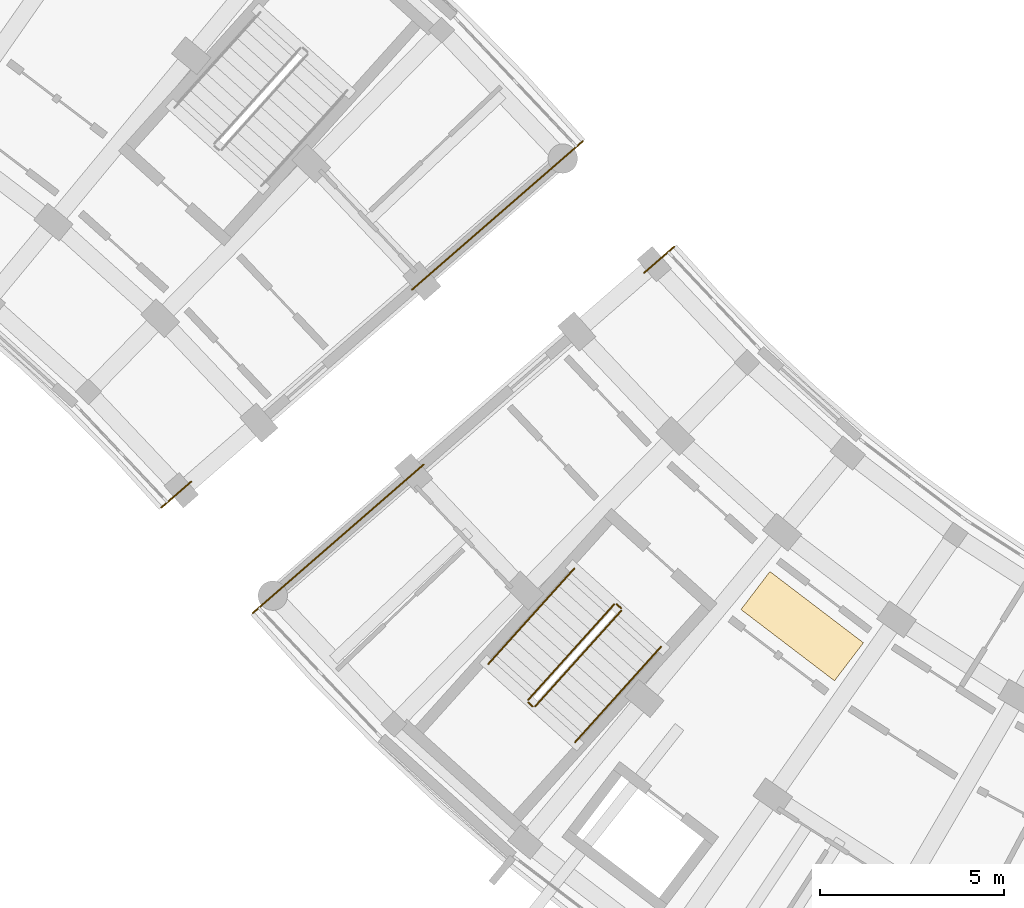
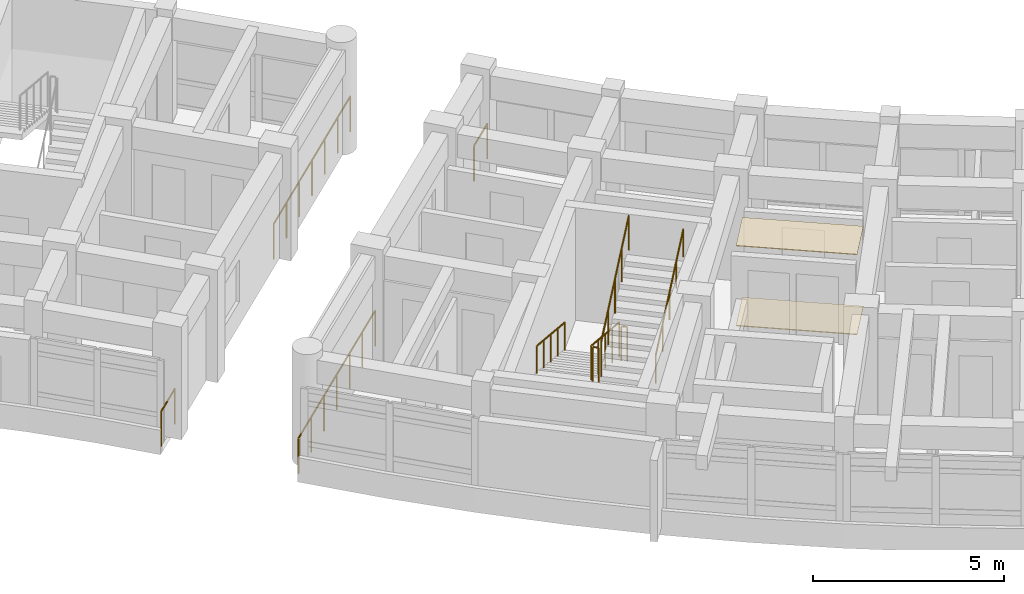
# One storey, part 77 of 83: 10 railings, 2 coverings.
"""IFC4 building model written with IfcOpenShell, lengths in metres."""

from ifc_helpers import new_model, si_unit, direction, frame, origin, origin_2d, place, context, subcontext, project, spatial, rectangle, circle, extrude, material, layer, layer_set, type_object, element, save


model = new_model("IFC4")

# Units and contexts
model_context = context("Model", 3, precision=1e-05, world=origin(), true_north=direction((0.0, 1.0)))
body_context = subcontext(model_context, "Body", "Model", "MODEL_VIEW")
ifc_project = project(units=[si_unit("LENGTHUNIT", "METRE"), si_unit("AREAUNIT", "SQUARE_METRE"), si_unit("VOLUMEUNIT", "CUBIC_METRE"), si_unit("PLANEANGLEUNIT", "RADIAN"), si_unit("MASSUNIT", "GRAM", prefix="KILO")], contexts=[model_context])

# Site, building, storey
site_placement = place(None, origin())
site = spatial("IfcSite", under=ifc_project, at=site_placement, CompositionType="ELEMENT")
building_placement = place(site_placement, origin())
building = spatial("IfcBuilding", under=site, at=building_placement, Name="Zimvara Arc Housing Community", CompositionType="ELEMENT")
storey_placement = place(building_placement, frame((0.0, 0.0, 4.5)))
storey = spatial("IfcBuildingStorey", under=building, at=storey_placement, Name="L01", CompositionType="ELEMENT", Elevation=4.5)

# Coverings
ifc_material_1 = material(Name="Perforated Acoustic Ceiling Board")
ifc_layer_1 = layer(ifc_material_1, 0.02197265625)
ifc_layer_set_1 = layer_set([ifc_layer_1], Name="Perforated Acoustic Ceiling Board")
covering_type_1 = type_object("IfcCoveringType", Name="COV-CEIL-02", PredefinedType="CEILING", material=ifc_layer_set_1)
covering_1_placement = place(storey_placement, frame((95.954833984375, 70.40087890625, 2.55810546875), z_axis=(0.0, 0.0, 1.0), x_axis=(-0.605988400266, -0.795473480855, 0.0)))
element("IfcCovering", 1, at=covering_1_placement, inside=storey, type_object=covering_type_1, Name="ceil:blkC:L01", PredefinedType="CEILING", context=body_context, shape_type="SweptSolid", body=[
    extrude(rectangle(XDim=1.300048828125, YDim=3.199951171875, at=origin_2d()), origin(), (0.0, 0.0, 1.0), 0.02197265625),
])
ifc_material_2 = material(Name="Polished Coastal Sand Terrazzo")
ifc_layer_2 = layer(ifc_material_2, 0.02392578125)
ifc_layer_set_2 = layer_set([ifc_layer_2], Name="Polished Coastal Sand Terrazzo")
covering_type_2 = type_object("IfcCoveringType", Name="COV-FLOR-02", PredefinedType="FLOORING", material=ifc_layer_set_2)
covering_2_placement = place(storey_placement, frame((95.954833984375, 70.40087890625, 0.0), z_axis=(0.0, 0.0, 1.0), x_axis=(-0.605988400266, -0.795473480855, 0.0)))
element("IfcCovering", 2, at=covering_2_placement, inside=storey, type_object=covering_type_2, Name="flor:blkC:L01", PredefinedType="FLOORING", context=body_context, shape_type="SweptSolid", body=[
    extrude(rectangle(XDim=1.300048828125, YDim=3.199951171875, at=origin_2d()), origin(), (0.0, 0.0, 1.0), 0.02392578125),
])

# Railings
ifc_material_3 = material(Name="Anodised Aluminium AW-6063", Category="aluminium")
railing_type_1 = type_object("IfcRailingType", Name="RLG-BAL-1120", PredefinedType="BALUSTRADE", material=ifc_material_3)
railing_1_placement = place(storey_placement, frame((90.83447265625, 70.993896484375, 0.14990234375)))
element("IfcRailing", 3, at=railing_1_placement, inside=storey, type_object=railing_type_1, Name="L01 ST-C1 stair guard 1", PredefinedType="BALUSTRADE", context=body_context, shape_type="SweptSolid", body=[
    extrude(circle(Radius=0.02392578125, at=origin_2d()), frame((0.0, 0.0, 1.09619140625), z_axis=(-0.604919664924, -0.67233636138, 0.42665678965), x_axis=(0.743394782569, -0.668852896569, 0.0)), (0.0, 0.0, 1.0), 3.86767578125),
    extrude(circle(Radius=0.02099609375, at=origin_2d()), origin(), (0.0, 0.0, 1.0), 1.072021484375),
    extrude(circle(Radius=0.02099609375, at=origin_2d()), frame((-0.5849609375, -0.650146484375, 0.41259765625)), (0.0, 0.0, 1.0), 1.072021484375),
    extrude(circle(Radius=0.02099609375, at=origin_2d()), frame((-1.169921875, -1.30029296875, 0.8251953125)), (0.0, 0.0, 1.0), 1.072021484375),
    extrude(circle(Radius=0.02099609375, at=origin_2d()), frame((-1.754638671875, -1.9501953125, 1.237548828125)), (0.0, 0.0, 1.0), 1.072021484375),
    extrude(circle(Radius=0.02099609375, at=origin_2d()), frame((-2.339599609375, -2.600341796875, 1.650146484375)), (0.0, 0.0, 1.0), 1.072021484375),
])
railing_2_placement = place(storey_placement, frame((88.49853515625, 68.322998046875, 1.800048828125)))
element("IfcRailing", 4, at=railing_2_placement, inside=storey, type_object=railing_type_1, Name="L01 ST-C1 stair guard 2", PredefinedType="BALUSTRADE", context=body_context, shape_type="SweptSolid", body=[
    extrude(circle(Radius=0.02392578125, at=origin_2d()), frame((0.0, 0.0, 1.09619140625), z_axis=(0.743521848755, -0.668711642207, 0.0), x_axis=(0.668711642207, 0.743521848755, 0.0)), (0.0, 0.0, 1.0), 0.159912109375),
    extrude(circle(Radius=0.02099609375, at=origin_2d()), origin(), (0.0, 0.0, 1.0), 1.072021484375),
    extrude(circle(Radius=0.02099609375, at=origin_2d()), frame((0.118896484375, -0.10693359375, 0.0)), (0.0, 0.0, 1.0), 1.072021484375),
])
railing_3_placement = place(storey_placement, frame((88.68798828125, 68.2197265625, 1.949951171875)))
element("IfcRailing", 5, at=railing_3_placement, inside=storey, type_object=railing_type_1, Name="L01 ST-C1 stair guard 3", PredefinedType="BALUSTRADE", context=body_context, shape_type="SweptSolid", body=[
    extrude(circle(Radius=0.02392578125, at=origin_2d()), frame((0.0, 0.0, 1.09619140625), z_axis=(0.604959687962, 0.672310688281, 0.426640497802), x_axis=(-0.743360079212, 0.668891465512, 0.0)), (0.0, 0.0, 1.0), 3.86767578125),
    extrude(circle(Radius=0.02099609375, at=origin_2d()), origin(), (0.0, 0.0, 1.0), 1.072021484375),
    extrude(circle(Radius=0.02099609375, at=origin_2d()), frame((0.5849609375, 0.650146484375, 0.41259765625)), (0.0, 0.0, 1.0), 1.072021484375),
    extrude(circle(Radius=0.02099609375, at=origin_2d()), frame((1.169921875, 1.30029296875, 0.8251953125)), (0.0, 0.0, 1.0), 1.072021484375),
    extrude(circle(Radius=0.02099609375, at=origin_2d()), frame((1.7548828125, 1.9501953125, 1.237548828125)), (0.0, 0.0, 1.0), 1.072021484375),
    extrude(circle(Radius=0.02099609375, at=origin_2d()), frame((2.33984375, 2.600341796875, 1.650146484375)), (0.0, 0.0, 1.0), 1.072021484375),
])
railing_4_placement = place(storey_placement, frame((90.905029296875, 70.99755859375, 0.0)))
element("IfcRailing", 6, at=railing_4_placement, inside=storey, type_object=railing_type_1, Name="L01 ST-C1 stair guard 4", PredefinedType="BALUSTRADE", context=body_context, shape_type="SweptSolid", body=[
    extrude(circle(Radius=0.02392578125, at=origin_2d()), frame((0.0, 0.0, 1.09619140625), z_axis=(0.744203407529, -0.667953058397, 0.0), x_axis=(0.667953058397, 0.744203407529, 0.0)), (0.0, 0.0, 1.0), 0.16015625),
    extrude(circle(Radius=0.02099609375, at=origin_2d()), origin(), (0.0, 0.0, 1.0), 1.072021484375),
    extrude(circle(Radius=0.02099609375, at=origin_2d()), frame((0.119140625, -0.10693359375, 0.0)), (0.0, 0.0, 1.0), 1.072021484375),
])
ifc_material_4 = material(Name="Anodised Aluminium AW-6063", Category="aluminium")
railing_type_2 = type_object("IfcRailingType", Name="RLG-BAL-1150", PredefinedType="BALUSTRADE", material=ifc_material_4)
railing_5_placement = place(storey_placement, frame((78.509033203125, 73.62890625, 0.0)))
element("IfcRailing", 7, at=railing_5_placement, inside=storey, type_object=railing_type_2, Name="rlg:blkB:L01:gable_in:gN", PredefinedType="BALUSTRADE", context=body_context, shape_type="SweptSolid", body=[
    extrude(circle(Radius=0.02392578125, at=origin_2d()), frame((0.0, 0.0, 1.1259765625), z_axis=(0.754659042762, 0.656117161167, 0.0), x_axis=(-0.656117161167, 0.754659042762, 0.0)), (0.0, 0.0, 1.0), 1.080322265625),
    extrude(circle(Radius=0.02099609375, at=origin_2d()), origin(), (0.0, 0.0, 1.0), 1.101806640625),
    extrude(circle(Radius=0.02099609375, at=origin_2d()), frame((0.815185546875, 0.708740234375, 0.0)), (0.0, 0.0, 1.0), 1.101806640625),
])
railing_6_placement = place(storey_placement, frame((85.331787109375, 79.559814453125, 0.0)))
element("IfcRailing", 8, at=railing_6_placement, inside=storey, type_object=railing_type_2, Name="rlg:blkB:L01:gable_out:gN", PredefinedType="BALUSTRADE", context=body_context, shape_type="SweptSolid", body=[
    extrude(circle(Radius=0.02392578125, at=origin_2d()), frame((0.0, 0.0, 1.1259765625), z_axis=(0.754708757217, 0.656059975749, 0.0), x_axis=(-0.656059975749, 0.754708757217, 0.0)), (0.0, 0.0, 1.0), 6.159912109375),
    extrude(circle(Radius=0.02099609375, at=origin_2d()), origin(), (0.0, 0.0, 1.0), 1.101806640625),
    extrude(circle(Radius=0.02099609375, at=origin_2d()), frame((0.77490234375, 0.673583984375, 0.0)), (0.0, 0.0, 1.0), 1.101806640625),
    extrude(circle(Radius=0.02099609375, at=origin_2d()), frame((1.549560546875, 1.34716796875, 0.0)), (0.0, 0.0, 1.0), 1.101806640625),
    extrude(circle(Radius=0.02099609375, at=origin_2d()), frame((2.324462890625, 2.0205078125, 0.0)), (0.0, 0.0, 1.0), 1.101806640625),
    extrude(circle(Radius=0.02099609375, at=origin_2d()), frame((3.099365234375, 2.694091796875, 0.0)), (0.0, 0.0, 1.0), 1.101806640625),
    extrude(circle(Radius=0.02099609375, at=origin_2d()), frame((3.8740234375, 3.36767578125, 0.0)), (0.0, 0.0, 1.0), 1.101806640625),
    extrude(circle(Radius=0.02099609375, at=origin_2d()), frame((4.64892578125, 4.041259765625, 0.0)), (0.0, 0.0, 1.0), 1.101806640625),
])
railing_7_placement = place(storey_placement, frame((92.470947265625, 80.73095703125, 0.0)))
element("IfcRailing", 9, at=railing_7_placement, inside=storey, type_object=railing_type_2, Name="rlg:blkC:L01:gable_in:g0", PredefinedType="BALUSTRADE", context=body_context, shape_type="SweptSolid", body=[
    extrude(circle(Radius=0.02392578125, at=origin_2d()), frame((0.0, 0.0, 1.1259765625), z_axis=(-0.75477095777, -0.655988415528, 0.0), x_axis=(0.655988415528, -0.75477095777, 0.0)), (0.0, 0.0, 1.0), 1.080078125),
    extrude(circle(Radius=0.02099609375, at=origin_2d()), origin(), (0.0, 0.0, 1.0), 1.101806640625),
    extrude(circle(Radius=0.02099609375, at=origin_2d()), frame((-0.815185546875, -0.70849609375, 0.0)), (0.0, 0.0, 1.0), 1.101806640625),
])
railing_8_placement = place(storey_placement, frame((85.6484375, 74.80029296875, 0.0)))
element("IfcRailing", 10, at=railing_8_placement, inside=storey, type_object=railing_type_2, Name="rlg:blkC:L01:gable_out:g0", PredefinedType="BALUSTRADE", context=body_context, shape_type="SweptSolid", body=[
    extrude(circle(Radius=0.02392578125, at=origin_2d()), frame((0.0, 0.0, 1.1259765625), z_axis=(-0.754706192268, -0.656062926367, 0.0), x_axis=(0.656062926367, -0.754706192268, 0.0)), (0.0, 0.0, 1.0), 6.16015625),
    extrude(circle(Radius=0.02099609375, at=origin_2d()), origin(), (0.0, 0.0, 1.0), 1.101806640625),
    extrude(circle(Radius=0.02099609375, at=origin_2d()), frame((-0.77490234375, -0.673583984375, 0.0)), (0.0, 0.0, 1.0), 1.101806640625),
    extrude(circle(Radius=0.02099609375, at=origin_2d()), frame((-1.5498046875, -1.34716796875, 0.0)), (0.0, 0.0, 1.0), 1.101806640625),
    extrude(circle(Radius=0.02099609375, at=origin_2d()), frame((-2.32470703125, -2.020751953125, 0.0)), (0.0, 0.0, 1.0), 1.101806640625),
    extrude(circle(Radius=0.02099609375, at=origin_2d()), frame((-3.099365234375, -2.6943359375, 0.0)), (0.0, 0.0, 1.0), 1.101806640625),
    extrude(circle(Radius=0.02099609375, at=origin_2d()), frame((-3.874267578125, -3.367919921875, 0.0)), (0.0, 0.0, 1.0), 1.101806640625),
    extrude(circle(Radius=0.02099609375, at=origin_2d()), frame((-4.649169921875, -4.04150390625, 0.0)), (0.0, 0.0, 1.0), 1.101806640625),
])
ifc_material_5 = material(Name="Anodised Aluminium AW-6063", Category="aluminium")
railing_type_3 = type_object("IfcRailingType", Name="RLG-HND-900", PredefinedType="HANDRAIL", material=ifc_material_5)
railing_9_placement = place(storey_placement, frame((89.749267578125, 71.970458984375, 0.14990234375)))
element("IfcRailing", 11, at=railing_9_placement, inside=storey, type_object=railing_type_3, Name="L01 ST-C1 stair handrail 1", PredefinedType="HANDRAIL", context=body_context, shape_type="SweptSolid", body=[
    extrude(circle(Radius=0.02392578125, at=origin_2d()), frame((0.0, 0.0, 0.8759765625), z_axis=(-0.604959687962, -0.672310688281, 0.426640497802), x_axis=(0.743360079212, -0.668891465512, 0.0)), (0.0, 0.0, 1.0), 3.86767578125),
    extrude(circle(Radius=0.02099609375, at=origin_2d()), origin(), (0.0, 0.0, 1.0), 0.851806640625),
    extrude(circle(Radius=0.02099609375, at=origin_2d()), frame((-0.5849609375, -0.650146484375, 0.41259765625)), (0.0, 0.0, 1.0), 0.851806640625),
    extrude(circle(Radius=0.02099609375, at=origin_2d()), frame((-1.169921875, -1.30029296875, 0.8251953125)), (0.0, 0.0, 1.0), 0.851806640625),
    extrude(circle(Radius=0.02099609375, at=origin_2d()), frame((-1.7548828125, -1.9501953125, 1.237548828125)), (0.0, 0.0, 1.0), 0.851806640625),
    extrude(circle(Radius=0.02099609375, at=origin_2d()), frame((-2.33984375, -2.600341796875, 1.650146484375)), (0.0, 0.0, 1.0), 0.851806640625),
])
railing_10_placement = place(storey_placement, frame((89.7734375, 67.2431640625, 1.949951171875)))
element("IfcRailing", 12, at=railing_10_placement, inside=storey, type_object=railing_type_3, Name="L01 ST-C1 stair handrail 2", PredefinedType="HANDRAIL", context=body_context, shape_type="SweptSolid", body=[
    extrude(circle(Radius=0.02392578125, at=origin_2d()), frame((0.0, 0.0, 0.8759765625), z_axis=(0.604919664924, 0.67233636138, 0.42665678965), x_axis=(-0.743394782569, 0.668852896569, 0.0)), (0.0, 0.0, 1.0), 3.86767578125),
    extrude(circle(Radius=0.02099609375, at=origin_2d()), origin(), (0.0, 0.0, 1.0), 0.851806640625),
    extrude(circle(Radius=0.02099609375, at=origin_2d()), frame((0.5849609375, 0.650146484375, 0.41259765625)), (0.0, 0.0, 1.0), 0.851806640625),
    extrude(circle(Radius=0.02099609375, at=origin_2d()), frame((1.169921875, 1.30029296875, 0.8251953125)), (0.0, 0.0, 1.0), 0.851806640625),
    extrude(circle(Radius=0.02099609375, at=origin_2d()), frame((1.754638671875, 1.9501953125, 1.237548828125)), (0.0, 0.0, 1.0), 0.851806640625),
    extrude(circle(Radius=0.02099609375, at=origin_2d()), frame((2.339599609375, 2.600341796875, 1.650146484375)), (0.0, 0.0, 1.0), 0.851806640625),
])

save(model, "model.ifc")
